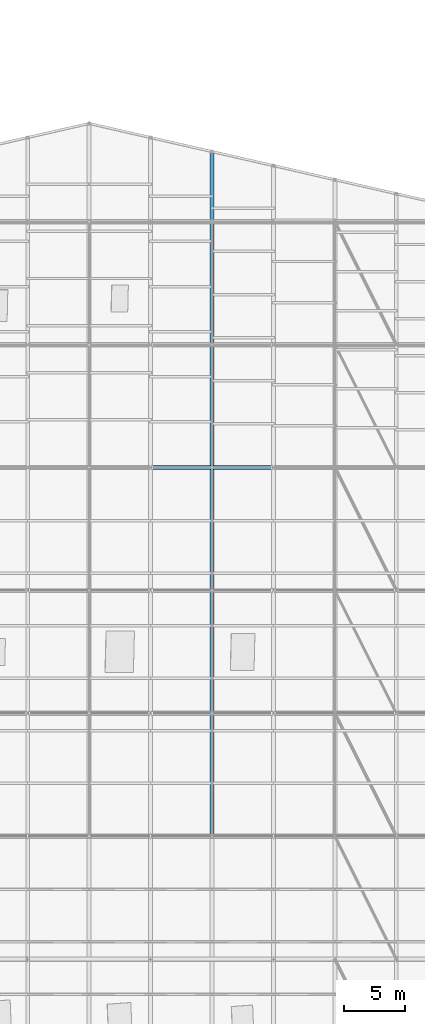
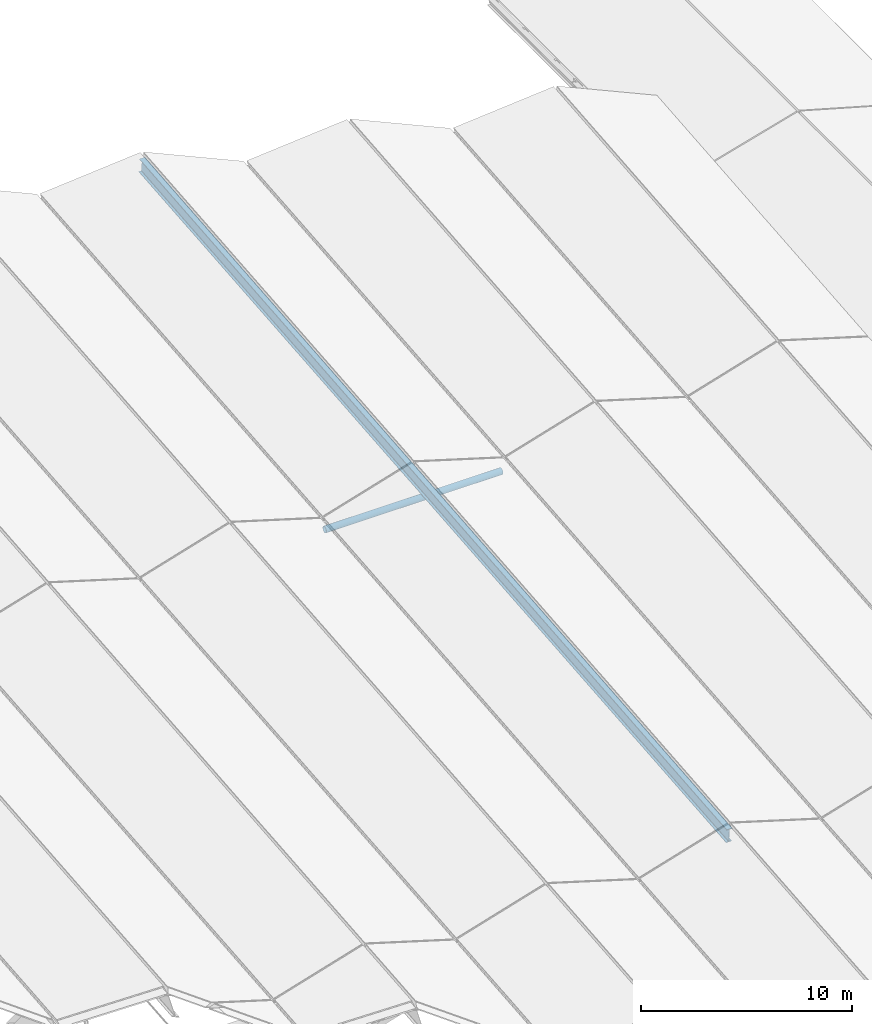
# One storey, part 39 of 90: 2 beams.
"""IFC4 building model written with IfcOpenShell, lengths in metres."""

from ifc_helpers import new_model, si_unit, direction, frame, origin, origin_2d, place, context, subcontext, project, spatial, hollow_circle, i_section, extrude, material, material_profile, profile_set, type_object, element, save


model = new_model("IFC4")

# Units and contexts
model_context = context("Model", 3, precision=1e-05, world=origin(), true_north=direction((0.0, 1.0)))
body_context = subcontext(model_context, "Body", "Model", "MODEL_VIEW")
ifc_project = project(units=[si_unit("LENGTHUNIT", "METRE"), si_unit("AREAUNIT", "SQUARE_METRE"), si_unit("VOLUMEUNIT", "CUBIC_METRE"), si_unit("PLANEANGLEUNIT", "RADIAN"), si_unit("MASSUNIT", "GRAM", prefix="KILO"), si_unit("THERMODYNAMICTEMPERATUREUNIT", "KELVIN"), si_unit("POWERUNIT", "WATT")], contexts=[model_context])

# Site, building, storey
site_placement = place(None, origin())
site = spatial("IfcSite", under=ifc_project, at=site_placement, CompositionType="ELEMENT")
building_placement = place(site_placement, origin())
building = spatial("IfcBuilding", under=site, at=building_placement, Name="Korenveer Ferry Terminal", CompositionType="ELEMENT")
storey_placement = place(building_placement, frame((0.0, 0.0, 22.199951171875)))
storey = spatial("IfcBuildingStorey", under=building, at=storey_placement, Name="RF", CompositionType="ELEMENT", Elevation=22.199951171875)

# Beams
ifc_material = material(Name="Steel S355", Category="steel")
ifc_material_profile_1 = material_profile(ifc_material, i_section(OverallWidth=0.300048828125, OverallDepth=0.800048828125, WebThickness=0.017578125, FlangeThickness=0.032958984375, FilletRadius=0.030029296875, at=origin_2d()), Name="HEB 800")
ifc_profile_set_1 = profile_set([ifc_material_profile_1], Name="Steel S355")
beam_type_1 = type_object("IfcBeamType", Name="STR-BM-HEB800", PredefinedType="BEAM", material=ifc_profile_set_1)
beam_1_placement = place(storey_placement, frame((98.0, 50.0, -7.16796875), z_axis=(0.0, 0.995903037593, 0.090427538461), x_axis=(-1.0, 0.0, 0.0)))
element("IfcBeam", 1, at=beam_1_placement, inside=storey, type_object=beam_type_1, Name="Folded roof ridge girder 10", PredefinedType="BEAM", context=body_context, shape_type="SweptSolid", body=[
    extrude(i_section(OverallWidth=0.300048828125, OverallDepth=0.800048828125, WebThickness=0.017578125, FlangeThickness=0.032958984375, FilletRadius=0.030029296875, at=origin_2d()), origin(), (0.0, 0.0, 1.0), 55.943603515625),
])
ifc_material_profile_2 = material_profile(ifc_material, hollow_circle(Radius=0.177734375, WallThickness=0.01611328125, at=origin_2d()), Name="CHS 355.6x16")
ifc_profile_set_2 = profile_set([ifc_material_profile_2], Name="Steel S355")
beam_type_2 = type_object("IfcBeamType", Name="STR-RFG-CHS355", PredefinedType="USERDEFINED", material=ifc_profile_set_2)
beam_2_placement = place(storey_placement, frame((93.159912109375, 80.0, -5.95361328125), z_axis=(1.0, 0.0, 0.0), x_axis=(0.0, 1.0, 0.0)))
element("IfcBeam", 2, at=beam_2_placement, inside=storey, type_object=beam_type_2, Name="Roof transverse tie girder 121", ObjectType="ROOF GIRDER", PredefinedType="USERDEFINED", context=body_context, shape_type="SweptSolid", body=[
    extrude(hollow_circle(Radius=0.177734375, WallThickness=0.01611328125, at=origin_2d()), origin(), (0.0, 0.0, 1.0), 9.68017578125),
])

save(model, "model.ifc")
